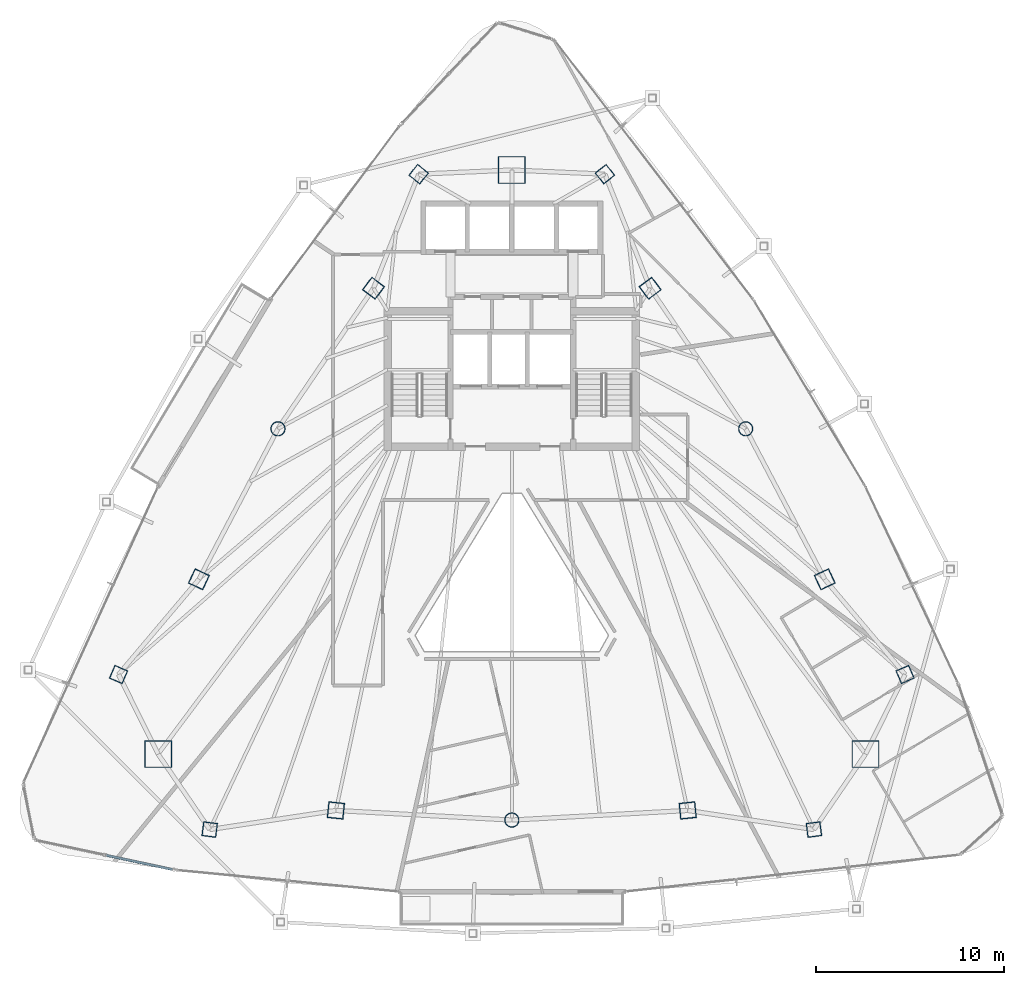
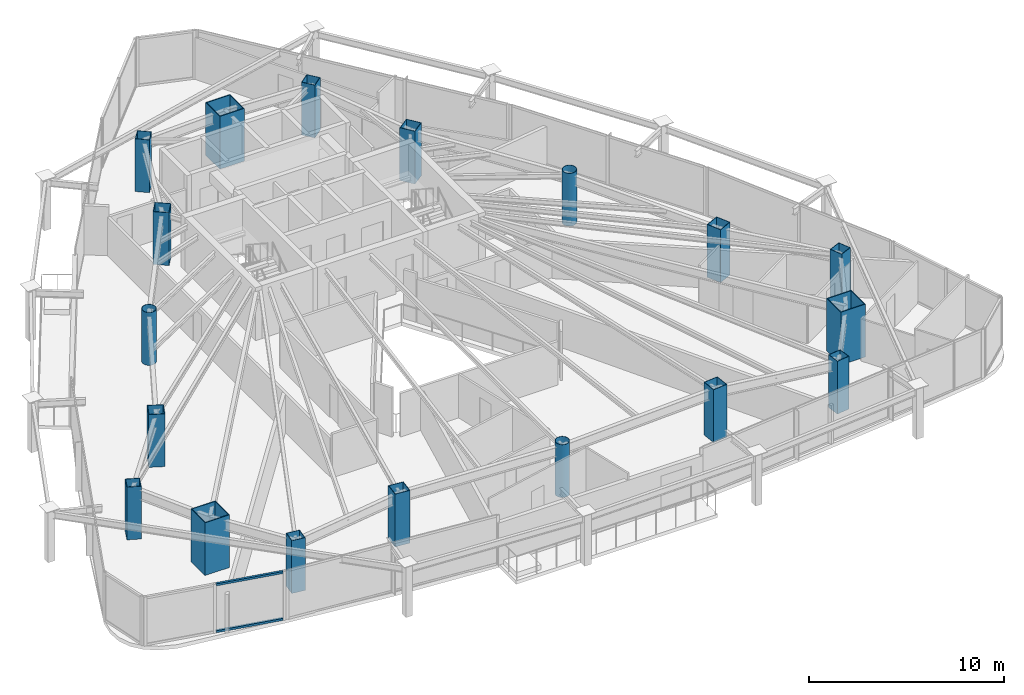
# One storey, part 1 of 33: 18 columns, 2 members, 1 element without a shape of its own.
"""IFC4 building model written with IfcOpenShell, lengths in metres."""

from ifc_helpers import new_model, si_unit, direction, frame, origin, origin_2d, place, context, subcontext, project, spatial, hollow_rectangle, hollow_circle, extrude, material, layer, layer_set, material_profile, profile_set, type_object, element, aggregate, save


model = new_model("IFC4")

# Units and contexts
model_context = context("Model", 3, precision=1e-05, world=origin(), true_north=direction((0.0, 1.0)))
body_context = subcontext(model_context, "Body", "Model", "MODEL_VIEW")
ifc_project = project(units=[si_unit("LENGTHUNIT", "METRE"), si_unit("AREAUNIT", "SQUARE_METRE"), si_unit("VOLUMEUNIT", "CUBIC_METRE"), si_unit("PLANEANGLEUNIT", "RADIAN"), si_unit("MASSUNIT", "GRAM", prefix="KILO")], contexts=[model_context])

# Site, building, storey
site_placement = place(None, origin())
site = spatial("IfcSite", under=ifc_project, at=site_placement, CompositionType="ELEMENT")
building_placement = place(site_placement, origin())
building = spatial("IfcBuilding", under=site, at=building_placement, Name="Orvanel Arch Residences", CompositionType="ELEMENT")
storey_placement = place(building_placement, frame((0.0, 0.0, 123.199951171875)))
storey = spatial("IfcBuildingStorey", under=building, at=storey_placement, Name="L34", CompositionType="ELEMENT", Elevation=123.199951171875)

# Columns
ifc_material_1 = material(Name="Structural steel AS/NZS 1163 C450L0 (Grade 450)", Category="steel")
ifc_material_profile_1 = material_profile(ifc_material_1, hollow_circle(Radius=0.381103515625, WallThickness=0.02197265625, at=origin_2d()), Name="CHS762x22")
ifc_profile_set_1 = profile_set([ifc_material_profile_1], Name="Structural steel AS/NZS 1163 C450L0 (Grade 450)")
column_type_1 = type_object("IfcColumnType", Name="CC-762", PredefinedType="COLUMN", material=ifc_profile_set_1)
for number, where, z_axis, x_axis, name in (
    (1, (20.569091796875, 27.64111328125, 0.0), (0.0, 0.0, 1.0), (1.0, 0.0, 0.0), "L34 High-Rise Tube Column 02"),
    (2, (33.0, 6.843994140625, 0.0), (0.0, 0.0, 1.0), (1.0, 0.0, 0.0), "L34 High-Rise Tube Column 05"),
    (3, (45.430908203125, 27.64111328125, 0.0), (0.0, 0.0, 1.0), (1.0, 0.0, 0.0), "L34 High-Rise Tube Column 08"),
):
    element("IfcColumn", number, at=place(storey_placement, frame(where, z_axis=z_axis, x_axis=x_axis)), inside=storey, type_object=column_type_1, Name=name, PredefinedType="COLUMN", context=body_context, shape_type="SweptSolid", body=[
        extrude(hollow_circle(Radius=0.381103515625, WallThickness=0.02197265625, at=origin_2d()), origin(), (0.0, 0.0, 1.0), 3.300048828125),
    ])
ifc_material_2 = material(Name="Structural steel AS/NZS 3678 Grade 450", Category="steel")
ifc_material_profile_2 = material_profile(ifc_material_2, hollow_rectangle(XDim=1.449951171875, YDim=1.449951171875, WallThickness=0.044921875, at=origin_2d()), Name="BOX1450x1450x45")
ifc_profile_set_2 = profile_set([ifc_material_profile_2], Name="Structural steel AS/NZS 3678 Grade 450")
column_type_2 = type_object("IfcColumnType", Name="MC-1450", PredefinedType="COLUMN", material=ifc_profile_set_2)
for number, where, z_axis, x_axis, name in (
    (4, (33.0, 41.39794921875, 0.0), (0.0, 0.0, 1.0), (1.0, 0.0, 0.0), "L34 Corner Mega-Column 1"),
    (5, (14.198974609375, 10.35107421875, 0.0), (0.0, 0.0, 1.0), (1.0, 0.0, 0.0), "L34 Corner Mega-Column 2"),
    (6, (51.801025390625, 10.35107421875, 0.0), (0.0, 0.0, 1.0), (1.0, 0.0, 0.0), "L34 Corner Mega-Column 3"),
):
    element("IfcColumn", number, at=place(storey_placement, frame(where, z_axis=z_axis, x_axis=x_axis)), inside=storey, type_object=column_type_2, Name=name, PredefinedType="COLUMN", context=body_context, shape_type="SweptSolid", body=[
        extrude(hollow_rectangle(XDim=1.449951171875, YDim=1.449951171875, WallThickness=0.044921875, at=origin_2d()), origin(), (0.0, 0.0, 1.0), 3.300048828125),
    ])
ifc_material_3 = material(Name="Structural steel AS/NZS 3678 Grade 350", Category="steel")
ifc_material_profile_3 = material_profile(ifc_material_3, hollow_rectangle(XDim=0.75, YDim=0.75, WallThickness=0.02490234375, at=origin_2d()), Name="BOX750x750x25")
ifc_profile_set_3 = profile_set([ifc_material_profile_3], Name="Structural steel AS/NZS 3678 Grade 350")
column_type_3 = type_object("IfcColumnType", Name="TC-750", PredefinedType="COLUMN", material=ifc_profile_set_3)
for number, where, z_axis, x_axis, name in (
    (7, (28.050048828125, 41.177978515625, 0.0), (0.0, 0.0, 1.0), (0.623879596709, 0.781520472419, 0.0), "L34 Mid-Rise Buttress Tube Column 01"),
    (8, (12.094970703125, 14.580078125, 0.0), (0.0, 0.0, 1.0), (0.397147890635, 0.917754625684, 0.0), "L34 Mid-Rise Buttress Tube Column 02"),
    (9, (16.94091796875, 6.339111328125, 0.0), (0.0, 0.0, 1.0), (-0.99189444259, 0.127064608601, 0.0), "L34 Mid-Rise Buttress Tube Column 03"),
    (10, (49.05908203125, 6.339111328125, 0.0), (0.0, 0.0, 1.0), (0.99189444259, 0.127064608601, 0.0), "L34 Mid-Rise Buttress Tube Column 04"),
    (11, (53.905029296875, 14.580078125, 0.0), (0.0, 0.0, 1.0), (-0.397147890635, 0.917754625684, 0.0), "L34 Mid-Rise Buttress Tube Column 05"),
    (12, (37.949951171875, 41.177978515625, 0.0), (0.0, 0.0, 1.0), (-0.623879596709, 0.781520472419, 0.0), "L34 Mid-Rise Buttress Tube Column 06"),
):
    element("IfcColumn", number, at=place(storey_placement, frame(where, z_axis=z_axis, x_axis=x_axis)), inside=storey, type_object=column_type_3, Name=name, PredefinedType="COLUMN", context=body_context, shape_type="SweptSolid", body=[
        extrude(hollow_rectangle(XDim=0.75, YDim=0.75, WallThickness=0.02490234375, at=origin_2d()), origin(), (0.0, 0.0, 1.0), 3.300048828125),
    ])
ifc_material_profile_4 = material_profile(ifc_material_3, hollow_rectangle(XDim=0.85009765625, YDim=0.85009765625, WallThickness=0.028076171875, at=origin_2d()), Name="BOX850x850x28")
ifc_profile_set_4 = profile_set([ifc_material_profile_4], Name="Structural steel AS/NZS 3678 Grade 350")
column_type_4 = type_object("IfcColumnType", Name="TC-850", PredefinedType="COLUMN", material=ifc_profile_set_4)
for number, where, z_axis, x_axis, name in (
    (13, (25.64794921875, 35.113037109375, 0.0), (0.0, 0.0, 1.0), (0.600420225326, 0.799684658487, 0.0), "L34 High-Rise Tube Column 01"),
    (14, (16.366943359375, 19.64208984375, 0.0), (0.0, 0.0, 1.0), (0.422618261741, 0.906307787037, 0.0), "L34 High-Rise Tube Column 03"),
    (15, (23.64892578125, 7.35498046875, 0.0), (0.0, 0.0, 1.0), (-0.994880708829, 0.101056297183, 0.0), "L34 High-Rise Tube Column 04"),
    (16, (42.35107421875, 7.35498046875, 0.0), (0.0, 0.0, 1.0), (0.994880708829, 0.101056297183, 0.0), "L34 High-Rise Tube Column 06"),
    (17, (49.633056640625, 19.64208984375, 0.0), (0.0, 0.0, 1.0), (-0.422618261741, 0.906307787037, 0.0), "L34 High-Rise Tube Column 07"),
    (18, (40.35205078125, 35.113037109375, 0.0), (0.0, 0.0, 1.0), (-0.600420225326, 0.799684658487, 0.0), "L34 High-Rise Tube Column 09"),
):
    element("IfcColumn", number, at=place(storey_placement, frame(where, z_axis=z_axis, x_axis=x_axis)), inside=storey, type_object=column_type_4, Name=name, PredefinedType="COLUMN", context=body_context, shape_type="SweptSolid", body=[
        extrude(hollow_rectangle(XDim=0.85009765625, YDim=0.85009765625, WallThickness=0.028076171875, at=origin_2d()), origin(), (0.0, 0.0, 1.0), 3.300048828125),
    ])

# Curtain wall, members
ifc_material_4 = material(Name="Bronze-anodised aluminium AA6063-T6", Category="aluminium")
ifc_layer = layer(ifc_material_4, 0.18994140625)
ifc_layer_set = layer_set([ifc_layer], Name="Bronze-anodised aluminium AA6063-T6")
curtain_wall_type = type_object("IfcCurtainWallType", Name="CW5-CRN-SYS", PredefinedType="NOTDEFINED", material=ifc_layer_set)
curtain_wall_placement = place(storey_placement, origin())
curtain_wall = element("IfcCurtainWall", 19, at=curtain_wall_placement, inside=storey, type_object=curtain_wall_type, Name="L34 CW5-CRN-SYS Unitised Curtain Wall", PredefinedType="NOTDEFINED")
ifc_material_profile_5 = material_profile(ifc_material_4, hollow_rectangle(XDim=0.1298828125, YDim=0.1298828125, WallThickness=0.00439453125, at=origin_2d()), Name="ALU130x130x4.5")
ifc_profile_set_5 = profile_set([ifc_material_profile_5], Name="Bronze-anodised aluminium AA6063-T6")
member_type = type_object("IfcMemberType", Name="TRN-130x130", PredefinedType="USERDEFINED", material=ifc_profile_set_5)
member_1_placement = place(storey_placement, frame((11.44384765625, 4.972412109375, 0.06494140625), z_axis=(0.97785508511, -0.209283139611, 0.0), x_axis=(0.209283139611, 0.97785508511, 0.0)))
member_1 = element("IfcMember", 20, at=member_1_placement, type_object=member_type, Name="CW-S5 transom 2.1", ObjectType="TRANSOM", PredefinedType="USERDEFINED", context=body_context, shape_type="SweptSolid", body=[
    extrude(hollow_rectangle(XDim=0.1298828125, YDim=0.1298828125, WallThickness=0.00439453125, at=origin_2d()), origin(), (0.0, 0.0, 1.0), 3.593017578125),
])
member_2_placement = place(storey_placement, frame((11.44384765625, 4.972412109375, 2.9951171875), z_axis=(0.97785508511, -0.209283139611, 0.0), x_axis=(0.209283139611, 0.97785508511, 0.0)))
member_2 = element("IfcMember", 21, at=member_2_placement, type_object=member_type, Name="CW-S5 transom 2.2", ObjectType="TRANSOM", PredefinedType="USERDEFINED", context=body_context, shape_type="SweptSolid", body=[
    extrude(hollow_rectangle(XDim=0.1298828125, YDim=0.1298828125, WallThickness=0.00439453125, at=origin_2d()), origin(), (0.0, 0.0, 1.0), 3.593017578125),
])
aggregate(curtain_wall, [member_1, member_2])

save(model, "model.ifc")
